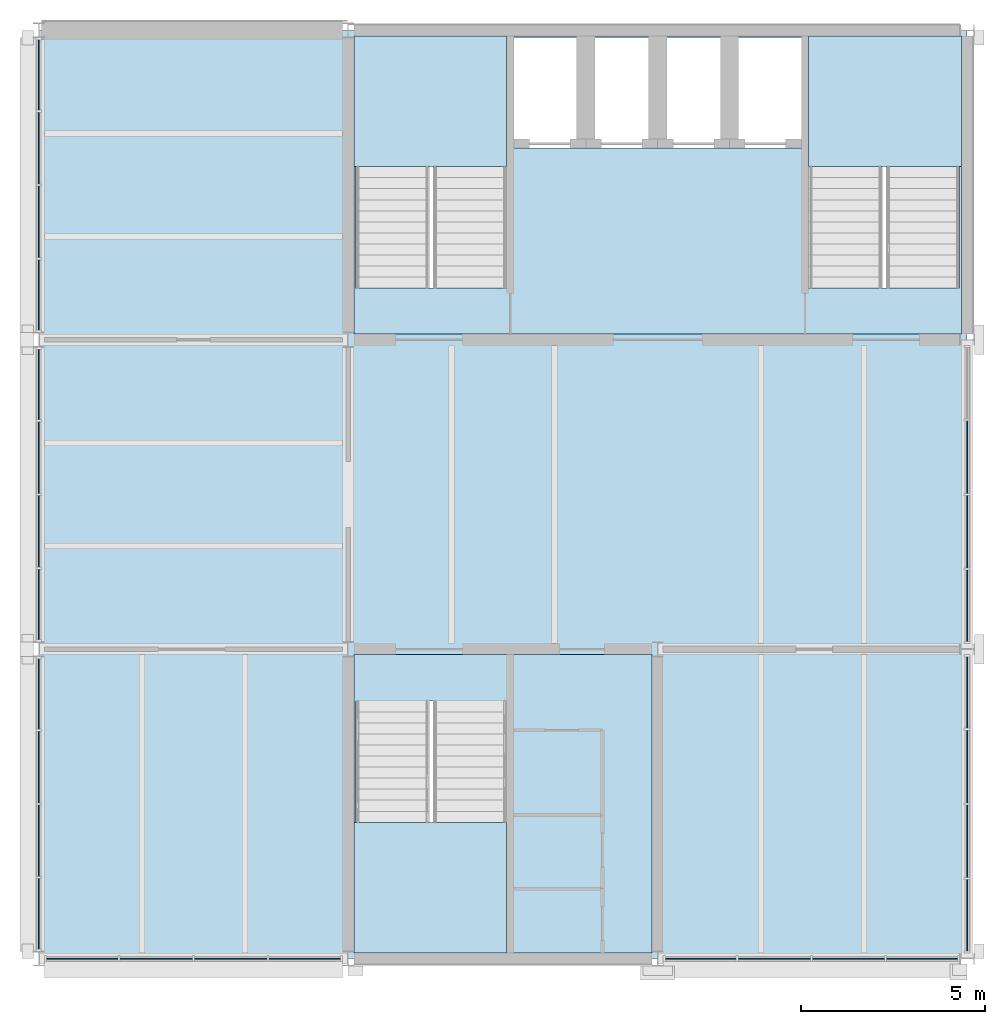
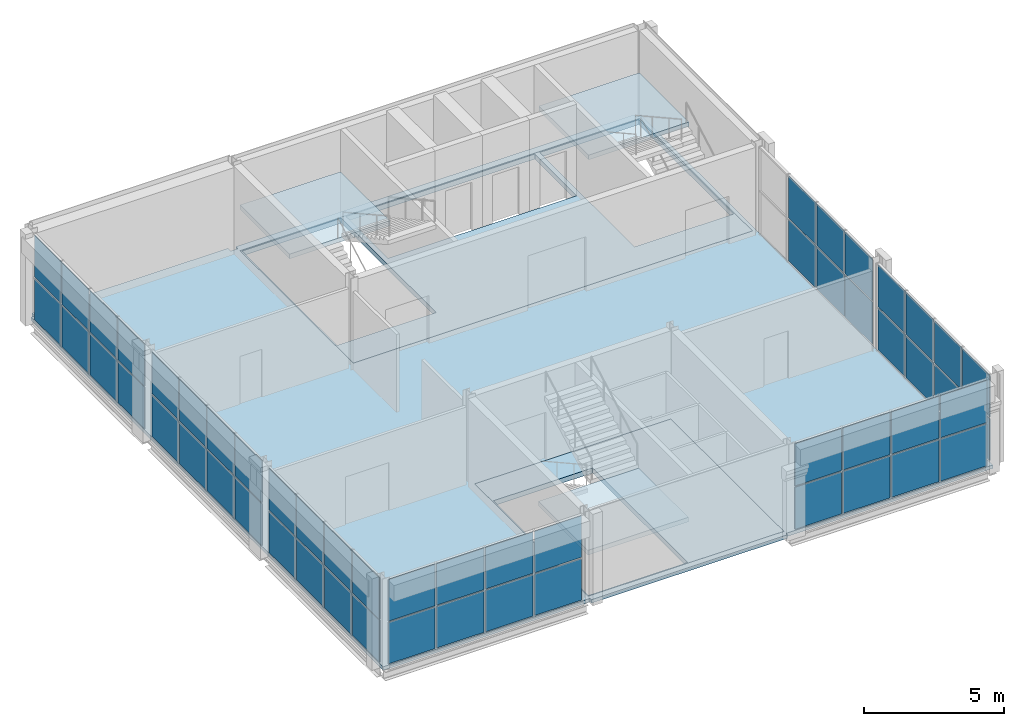
# One storey, part 5 of 8: 54 plates, 6 slabs, 10 elements without a shape of their own.
"""IFC4 building model written with IfcOpenShell, lengths in metres."""

from ifc_helpers import new_model, si_unit, direction, frame, origin, origin_2d, place, context, subcontext, project, spatial, polyline, rectangle, outline, extrude, material, layer, layer_set, type_object, element, aggregate, save


model = new_model("IFC4")

# Units and contexts
model_context = context("Model", 3, precision=1e-05, world=origin(), true_north=direction((0.0, 1.0)))
body_context = subcontext(model_context, "Body", "Model", "MODEL_VIEW")
ifc_project = project(units=[si_unit("LENGTHUNIT", "METRE"), si_unit("AREAUNIT", "SQUARE_METRE"), si_unit("VOLUMEUNIT", "CUBIC_METRE"), si_unit("PLANEANGLEUNIT", "RADIAN"), si_unit("MASSUNIT", "GRAM", prefix="KILO")], contexts=[model_context])

# Site, building, storey
site_placement = place(None, origin())
site = spatial("IfcSite", under=ifc_project, at=site_placement, CompositionType="ELEMENT")
building_placement = place(site_placement, origin())
building = spatial("IfcBuilding", under=site, at=building_placement, Name="Galleria Vessillo Department Store", CompositionType="ELEMENT")
storey_placement = place(building_placement, frame((0.0, 0.0, 55.60009765625)))
storey = spatial("IfcBuildingStorey", under=building, at=storey_placement, Name="L12", CompositionType="ELEMENT", Elevation=55.60009765625)

# Slab
ifc_material_1 = material(Name="Concrete C32/40 composite on steel deck", Category="concrete")
ifc_layer_1 = layer(ifc_material_1, 0.14990234375)
ifc_layer_set_1 = layer_set([ifc_layer_1], Name="Concrete C32/40 composite on steel deck")
slab_type_1 = type_object("IfcSlabType", Name="Composite floor slab 150 mm", PredefinedType="FLOOR", material=ifc_layer_set_1)
slab_1_placement = place(storey_placement, frame((0.0, 0.0, -0.14990234375)))
element("IfcSlab", 1, at=slab_1_placement, inside=storey, type_object=slab_type_1, Name="S-SLAB-L12-FLOOR", PredefinedType="FLOOR", context=body_context, shape_type="SweptSolid", body=[
    extrude(outline(polyline([(100.95068359375, 37.800048828125), (92.39990234375, 37.800048828125), (92.39990234375, 63.0), (92.550537109375, 63.0), (92.550537109375, 63.199951171875), (100.6494140625, 63.199951171875), (100.6494140625, 63.0), (100.95068359375, 63.0), (100.95068359375, 63.1494140625), (117.3994140625, 63.1494140625), (117.3994140625, 63.0), (117.60009765625, 63.0), (117.60009765625, 37.800048828125), (109.04931640625, 37.800048828125), (109.04931640625, 37.699951171875), (100.95068359375, 37.699951171875), (100.95068359375, 37.800048828125)]), holes=[polyline([(109.050048828125, 37.949951171875), (109.050048828125, 46.050048828125), (100.949951171875, 46.050048828125), (100.949951171875, 37.949951171875), (109.050048828125, 37.949951171875)]), polyline([(117.4501953125, 54.75), (117.4501953125, 62.85009765625), (100.949951171875, 62.85009765625), (100.949951171875, 54.75), (117.4501953125, 54.75)])]), origin(), (0.0, 0.0, 1.0), 0.14990234375),
])

# Curtain wall, plates
ifc_material_2 = material(Name="Aluminium and glass curtain wall", Category="aluminium")
ifc_layer_2 = layer(ifc_material_2, 0.159912109375)
ifc_layer_set_2 = layer_set([ifc_layer_2], Name="Aluminium and glass curtain wall")
curtain_wall_type = type_object("IfcCurtainWallType", Name="Tower curtain wall CW4 2100 module", PredefinedType="NOTDEFINED", material=ifc_layer_set_2)
curtain_wall_1_placement = place(storey_placement, origin())
curtain_wall_1 = element("IfcCurtainWall", 2, at=curtain_wall_1_placement, inside=storey, type_object=curtain_wall_type, Name="Tower curtain wall CW4 2100 module TW-L12-01", PredefinedType="NOTDEFINED")
ifc_material_3 = material(Name="Glass laminated 44.2 low-e", Category="glass")
ifc_layer_3 = layer(ifc_material_3, 0.028076171875)
ifc_layer_set_3 = layer_set([ifc_layer_3], Name="Glass laminated 44.2 low-e")
plate_type_1 = type_object("IfcPlateType", Name="Laminated glass panel 28 mm", PredefinedType="CURTAIN_PANEL", material=ifc_layer_set_3)
plate_1_placement = place(storey_placement, frame((92.39990234375, 39.014892578125, 1.929931640625), z_axis=(0.0, 0.0, 1.0), x_axis=(0.0, 1.0, 0.0)))
plate_1 = element("IfcPlate", 3, at=plate_1_placement, type_object=plate_type_1, Name="CW4 panel 1.2", PredefinedType="CURTAIN_PANEL", context=body_context, shape_type="SweptSolid", body=[
    extrude(rectangle(XDim=1.909912109375, YDim=0.028076171875, at=origin_2d()), origin(), (0.0, 0.0, 1.0), 1.81005859375),
])
plate_2_placement = place(storey_placement, frame((92.39990234375, 41.0, 1.929931640625), z_axis=(0.0, 0.0, 1.0), x_axis=(0.0, 1.0, 0.0)))
plate_2 = element("IfcPlate", 4, at=plate_2_placement, type_object=plate_type_1, Name="CW4 panel 2.2", PredefinedType="CURTAIN_PANEL", context=body_context, shape_type="SweptSolid", body=[
    extrude(rectangle(XDim=1.93994140625, YDim=0.028076171875, at=origin_2d()), origin(), (0.0, 0.0, 1.0), 1.81005859375),
])
plate_3_placement = place(storey_placement, frame((92.39990234375, 43.0, 1.929931640625), z_axis=(0.0, 0.0, 1.0), x_axis=(0.0, 1.0, 0.0)))
plate_3 = element("IfcPlate", 5, at=plate_3_placement, type_object=plate_type_1, Name="CW4 panel 3.2", PredefinedType="CURTAIN_PANEL", context=body_context, shape_type="SweptSolid", body=[
    extrude(rectangle(XDim=1.93994140625, YDim=0.028076171875, at=origin_2d()), origin(), (0.0, 0.0, 1.0), 1.81005859375),
])
plate_4_placement = place(storey_placement, frame((92.39990234375, 44.985107421875, 1.929931640625), z_axis=(0.0, 0.0, 1.0), x_axis=(0.0, 1.0, 0.0)))
plate_4 = element("IfcPlate", 6, at=plate_4_placement, type_object=plate_type_1, Name="CW4 panel 4.2", PredefinedType="CURTAIN_PANEL", context=body_context, shape_type="SweptSolid", body=[
    extrude(rectangle(XDim=1.909912109375, YDim=0.028076171875, at=origin_2d()), origin(), (0.0, 0.0, 1.0), 1.81005859375),
])

curtain_wall_2_placement = place(storey_placement, origin())
curtain_wall_2 = element("IfcCurtainWall", 7, at=curtain_wall_2_placement, inside=storey, type_object=curtain_wall_type, Name="Tower curtain wall CW4 2100 module TW-L12-02", PredefinedType="NOTDEFINED")
plate_5_placement = place(storey_placement, frame((92.39990234375, 47.4150390625, 1.929931640625), z_axis=(0.0, 0.0, 1.0), x_axis=(0.0, 1.0, 0.0)))
plate_5 = element("IfcPlate", 8, at=plate_5_placement, type_object=plate_type_1, Name="CW4 panel 1.2", PredefinedType="CURTAIN_PANEL", context=body_context, shape_type="SweptSolid", body=[
    extrude(rectangle(XDim=1.91015625, YDim=0.028076171875, at=origin_2d()), origin(), (0.0, 0.0, 1.0), 1.81005859375),
])
plate_6_placement = place(storey_placement, frame((92.39990234375, 49.39990234375, 1.929931640625), z_axis=(0.0, 0.0, 1.0), x_axis=(0.0, 1.0, 0.0)))
plate_6 = element("IfcPlate", 9, at=plate_6_placement, type_object=plate_type_1, Name="CW4 panel 2.2", PredefinedType="CURTAIN_PANEL", context=body_context, shape_type="SweptSolid", body=[
    extrude(rectangle(XDim=1.93994140625, YDim=0.028076171875, at=origin_2d()), origin(), (0.0, 0.0, 1.0), 1.81005859375),
])
plate_7_placement = place(storey_placement, frame((92.39990234375, 51.400146484375, 1.929931640625), z_axis=(0.0, 0.0, 1.0), x_axis=(0.0, 1.0, 0.0)))
plate_7 = element("IfcPlate", 10, at=plate_7_placement, type_object=plate_type_1, Name="CW4 panel 3.2", PredefinedType="CURTAIN_PANEL", context=body_context, shape_type="SweptSolid", body=[
    extrude(rectangle(XDim=1.93994140625, YDim=0.028076171875, at=origin_2d()), origin(), (0.0, 0.0, 1.0), 1.81005859375),
])
plate_8_placement = place(storey_placement, frame((92.39990234375, 53.385009765625, 1.929931640625), z_axis=(0.0, 0.0, 1.0), x_axis=(0.0, 1.0, 0.0)))
plate_8 = element("IfcPlate", 11, at=plate_8_placement, type_object=plate_type_1, Name="CW4 panel 4.2", PredefinedType="CURTAIN_PANEL", context=body_context, shape_type="SweptSolid", body=[
    extrude(rectangle(XDim=1.91015625, YDim=0.028076171875, at=origin_2d()), origin(), (0.0, 0.0, 1.0), 1.81005859375),
])

curtain_wall_3_placement = place(storey_placement, origin())
curtain_wall_3 = element("IfcCurtainWall", 12, at=curtain_wall_3_placement, inside=storey, type_object=curtain_wall_type, Name="Tower curtain wall CW4 2100 module TW-L12-03", PredefinedType="NOTDEFINED")
plate_9_placement = place(storey_placement, frame((92.39990234375, 55.81494140625, 1.929931640625), z_axis=(0.0, 0.0, 1.0), x_axis=(0.0, 1.0, 0.0)))
plate_9 = element("IfcPlate", 13, at=plate_9_placement, type_object=plate_type_1, Name="CW4 panel 1.2", PredefinedType="CURTAIN_PANEL", context=body_context, shape_type="SweptSolid", body=[
    extrude(rectangle(XDim=1.909912109375, YDim=0.028076171875, at=origin_2d()), origin(), (0.0, 0.0, 1.0), 1.81005859375),
])
plate_10_placement = place(storey_placement, frame((92.39990234375, 57.800048828125, 1.929931640625), z_axis=(0.0, 0.0, 1.0), x_axis=(0.0, 1.0, 0.0)))
plate_10 = element("IfcPlate", 14, at=plate_10_placement, type_object=plate_type_1, Name="CW4 panel 2.2", PredefinedType="CURTAIN_PANEL", context=body_context, shape_type="SweptSolid", body=[
    extrude(rectangle(XDim=1.93994140625, YDim=0.028076171875, at=origin_2d()), origin(), (0.0, 0.0, 1.0), 1.81005859375),
])
plate_11_placement = place(storey_placement, frame((92.39990234375, 59.800048828125, 1.929931640625), z_axis=(0.0, 0.0, 1.0), x_axis=(0.0, 1.0, 0.0)))
plate_11 = element("IfcPlate", 15, at=plate_11_placement, type_object=plate_type_1, Name="CW4 panel 3.2", PredefinedType="CURTAIN_PANEL", context=body_context, shape_type="SweptSolid", body=[
    extrude(rectangle(XDim=1.93994140625, YDim=0.028076171875, at=origin_2d()), origin(), (0.0, 0.0, 1.0), 1.81005859375),
])
plate_12_placement = place(storey_placement, frame((92.39990234375, 61.78515625, 1.929931640625), z_axis=(0.0, 0.0, 1.0), x_axis=(0.0, 1.0, 0.0)))
plate_12 = element("IfcPlate", 16, at=plate_12_placement, type_object=plate_type_1, Name="CW4 panel 4.2", PredefinedType="CURTAIN_PANEL", context=body_context, shape_type="SweptSolid", body=[
    extrude(rectangle(XDim=1.909912109375, YDim=0.028076171875, at=origin_2d()), origin(), (0.0, 0.0, 1.0), 1.81005859375),
])

curtain_wall_4_placement = place(storey_placement, origin())
curtain_wall_4 = element("IfcCurtainWall", 17, at=curtain_wall_4_placement, inside=storey, type_object=curtain_wall_type, Name="Tower curtain wall CW4 2100 module TS-L12-01", PredefinedType="NOTDEFINED")
plate_13_placement = place(storey_placement, frame((93.577392578125, 37.800048828125, 1.929931640625), z_axis=(0.0, 0.0, 1.0), x_axis=(1.0, 0.0, 0.0)))
plate_13 = element("IfcPlate", 18, at=plate_13_placement, type_object=plate_type_1, Name="CW4 panel 1.2", PredefinedType="CURTAIN_PANEL", context=body_context, shape_type="SweptSolid", body=[
    extrude(rectangle(XDim=1.93505859375, YDim=0.028076171875, at=origin_2d()), origin(), (0.0, 0.0, 1.0), 1.81005859375),
])
plate_14_placement = place(storey_placement, frame((95.58740234375, 37.800048828125, 1.929931640625), z_axis=(0.0, 0.0, 1.0), x_axis=(1.0, 0.0, 0.0)))
plate_14 = element("IfcPlate", 19, at=plate_14_placement, type_object=plate_type_1, Name="CW4 panel 2.2", PredefinedType="CURTAIN_PANEL", context=body_context, shape_type="SweptSolid", body=[
    extrude(rectangle(XDim=1.965087890625, YDim=0.028076171875, at=origin_2d()), origin(), (0.0, 0.0, 1.0), 1.81005859375),
])
plate_15_placement = place(storey_placement, frame((97.612548828125, 37.800048828125, 1.929931640625), z_axis=(0.0, 0.0, 1.0), x_axis=(1.0, 0.0, 0.0)))
plate_15 = element("IfcPlate", 20, at=plate_15_placement, type_object=plate_type_1, Name="CW4 panel 3.2", PredefinedType="CURTAIN_PANEL", context=body_context, shape_type="SweptSolid", body=[
    extrude(rectangle(XDim=1.965087890625, YDim=0.028076171875, at=origin_2d()), origin(), (0.0, 0.0, 1.0), 1.81005859375),
])
plate_16_placement = place(storey_placement, frame((99.62255859375, 37.800048828125, 1.929931640625), z_axis=(0.0, 0.0, 1.0), x_axis=(1.0, 0.0, 0.0)))
plate_16 = element("IfcPlate", 21, at=plate_16_placement, type_object=plate_type_1, Name="CW4 panel 4.2", PredefinedType="CURTAIN_PANEL", context=body_context, shape_type="SweptSolid", body=[
    extrude(rectangle(XDim=1.93505859375, YDim=0.028076171875, at=origin_2d()), origin(), (0.0, 0.0, 1.0), 1.81005859375),
])

curtain_wall_5_placement = place(storey_placement, origin())
curtain_wall_5 = element("IfcCurtainWall", 22, at=curtain_wall_5_placement, inside=storey, type_object=curtain_wall_type, Name="Tower curtain wall CW4 2100 module TS-L12-02", PredefinedType="NOTDEFINED")
plate_17_placement = place(storey_placement, frame((110.37109375, 37.800048828125, 1.955078125), z_axis=(0.0, 0.0, 1.0), x_axis=(1.0, 0.0, 0.0)))
plate_17 = element("IfcPlate", 23, at=plate_17_placement, type_object=plate_type_1, Name="CW4 panel 1.2", PredefinedType="CURTAIN_PANEL", context=body_context, shape_type="SweptSolid", body=[
    extrude(rectangle(XDim=1.922607421875, YDim=0.028076171875, at=origin_2d()), origin(), (0.0, 0.0, 1.0), 1.835205078125),
])
plate_18_placement = place(storey_placement, frame((112.36865234375, 37.800048828125, 1.955078125), z_axis=(0.0, 0.0, 1.0), x_axis=(1.0, 0.0, 0.0)))
plate_18 = element("IfcPlate", 24, at=plate_18_placement, type_object=plate_type_1, Name="CW4 panel 2.2", PredefinedType="CURTAIN_PANEL", context=body_context, shape_type="SweptSolid", body=[
    extrude(rectangle(XDim=1.95263671875, YDim=0.028076171875, at=origin_2d()), origin(), (0.0, 0.0, 1.0), 1.835205078125),
])
plate_19_placement = place(storey_placement, frame((114.38134765625, 37.800048828125, 1.955078125), z_axis=(0.0, 0.0, 1.0), x_axis=(1.0, 0.0, 0.0)))
plate_19 = element("IfcPlate", 25, at=plate_19_placement, type_object=plate_type_1, Name="CW4 panel 3.2", PredefinedType="CURTAIN_PANEL", context=body_context, shape_type="SweptSolid", body=[
    extrude(rectangle(XDim=1.95263671875, YDim=0.028076171875, at=origin_2d()), origin(), (0.0, 0.0, 1.0), 1.835205078125),
])
plate_20_placement = place(storey_placement, frame((116.37890625, 37.800048828125, 1.955078125), z_axis=(0.0, 0.0, 1.0), x_axis=(1.0, 0.0, 0.0)))
plate_20 = element("IfcPlate", 26, at=plate_20_placement, type_object=plate_type_1, Name="CW4 panel 4.2", PredefinedType="CURTAIN_PANEL", context=body_context, shape_type="SweptSolid", body=[
    extrude(rectangle(XDim=1.922607421875, YDim=0.028076171875, at=origin_2d()), origin(), (0.0, 0.0, 1.0), 1.835205078125),
])

curtain_wall_6_placement = place(storey_placement, origin())
curtain_wall_6 = element("IfcCurtainWall", 27, at=curtain_wall_6_placement, inside=storey, type_object=curtain_wall_type, Name="Tower curtain wall CW4 2100 module TE-L12-01", PredefinedType="NOTDEFINED")
plate_21_placement = place(storey_placement, frame((117.60009765625, 38.9775390625, 1.955078125), z_axis=(0.0, 0.0, 1.0), x_axis=(0.0, 1.0, 0.0)))
plate_21 = element("IfcPlate", 28, at=plate_21_placement, type_object=plate_type_1, Name="CW4 panel 1.2", PredefinedType="CURTAIN_PANEL", context=body_context, shape_type="SweptSolid", body=[
    extrude(rectangle(XDim=1.93505859375, YDim=0.028076171875, at=origin_2d()), origin(), (0.0, 0.0, 1.0), 1.835205078125),
])
plate_22_placement = place(storey_placement, frame((117.60009765625, 40.987548828125, 1.955078125), z_axis=(0.0, 0.0, 1.0), x_axis=(0.0, 1.0, 0.0)))
plate_22 = element("IfcPlate", 29, at=plate_22_placement, type_object=plate_type_1, Name="CW4 panel 2.2", PredefinedType="CURTAIN_PANEL", context=body_context, shape_type="SweptSolid", body=[
    extrude(rectangle(XDim=1.965087890625, YDim=0.028076171875, at=origin_2d()), origin(), (0.0, 0.0, 1.0), 1.835205078125),
])
plate_23_placement = place(storey_placement, frame((117.60009765625, 43.012451171875, 1.955078125), z_axis=(0.0, 0.0, 1.0), x_axis=(0.0, 1.0, 0.0)))
plate_23 = element("IfcPlate", 30, at=plate_23_placement, type_object=plate_type_1, Name="CW4 panel 3.2", PredefinedType="CURTAIN_PANEL", context=body_context, shape_type="SweptSolid", body=[
    extrude(rectangle(XDim=1.965087890625, YDim=0.028076171875, at=origin_2d()), origin(), (0.0, 0.0, 1.0), 1.835205078125),
])
plate_24_placement = place(storey_placement, frame((117.60009765625, 45.0224609375, 1.955078125), z_axis=(0.0, 0.0, 1.0), x_axis=(0.0, 1.0, 0.0)))
plate_24 = element("IfcPlate", 31, at=plate_24_placement, type_object=plate_type_1, Name="CW4 panel 4.2", PredefinedType="CURTAIN_PANEL", context=body_context, shape_type="SweptSolid", body=[
    extrude(rectangle(XDim=1.93505859375, YDim=0.028076171875, at=origin_2d()), origin(), (0.0, 0.0, 1.0), 1.835205078125),
])

curtain_wall_7_placement = place(storey_placement, origin())
curtain_wall_7 = element("IfcCurtainWall", 32, at=curtain_wall_7_placement, inside=storey, type_object=curtain_wall_type, Name="Tower curtain wall CW4 2100 module TE-L12-02", PredefinedType="NOTDEFINED")
plate_25_placement = place(storey_placement, frame((117.60009765625, 47.37744140625, 1.955078125), z_axis=(0.0, 0.0, 1.0), x_axis=(0.0, 1.0, 0.0)))
plate_25 = element("IfcPlate", 33, at=plate_25_placement, type_object=plate_type_1, Name="CW4 panel 1.2", PredefinedType="CURTAIN_PANEL", context=body_context, shape_type="SweptSolid", body=[
    extrude(rectangle(XDim=1.93505859375, YDim=0.028076171875, at=origin_2d()), origin(), (0.0, 0.0, 1.0), 1.835205078125),
])
plate_26_placement = place(storey_placement, frame((117.60009765625, 49.387451171875, 1.955078125), z_axis=(0.0, 0.0, 1.0), x_axis=(0.0, 1.0, 0.0)))
plate_26 = element("IfcPlate", 34, at=plate_26_placement, type_object=plate_type_1, Name="CW4 panel 2.2", PredefinedType="CURTAIN_PANEL", context=body_context, shape_type="SweptSolid", body=[
    extrude(rectangle(XDim=1.965087890625, YDim=0.028076171875, at=origin_2d()), origin(), (0.0, 0.0, 1.0), 1.835205078125),
])
plate_27_placement = place(storey_placement, frame((117.60009765625, 51.41259765625, 1.955078125), z_axis=(0.0, 0.0, 1.0), x_axis=(0.0, 1.0, 0.0)))
plate_27 = element("IfcPlate", 35, at=plate_27_placement, type_object=plate_type_1, Name="CW4 panel 3.2", PredefinedType="CURTAIN_PANEL", context=body_context, shape_type="SweptSolid", body=[
    extrude(rectangle(XDim=1.965087890625, YDim=0.028076171875, at=origin_2d()), origin(), (0.0, 0.0, 1.0), 1.835205078125),
])

# Slabs
ifc_material_4 = material(Name="Concrete C32/40 reinforced", Category="concrete")
ifc_layer_4 = layer(ifc_material_4, 0.219970703125)
ifc_layer_set_4 = layer_set([ifc_layer_4], Name="Concrete C32/40 reinforced")
slab_type_2 = type_object("IfcSlabType", Name="Reinforced concrete core floor slab 220 mm", PredefinedType="FLOOR", material=ifc_layer_set_4)
slab_2_placement = place(storey_placement, frame((0.0, 0.0, -0.219970703125)))
element("IfcSlab", 36, at=slab_2_placement, inside=storey, type_object=slab_type_2, Name="S-SLAB-L12-CORE-TC", PredefinedType="FLOOR", context=body_context, shape_type="SweptSolid", body=[
    extrude(outline(polyline([(100.949951171875, 54.75), (100.949951171875, 62.85009765625), (117.4501953125, 62.85009765625), (117.4501953125, 54.75), (100.949951171875, 54.75)]), holes=[polyline([(105.10009765625, 56.0), (105.10009765625, 62.800048828125), (101.0, 62.800048828125), (101.0, 56.0), (105.10009765625, 56.0)]), polyline([(113.300048828125, 56.0), (117.39990234375, 56.0), (117.39990234375, 62.800048828125), (113.300048828125, 62.800048828125), (113.300048828125, 56.0)]), polyline([(105.300048828125, 59.800048828125), (113.10009765625, 59.800048828125), (113.10009765625, 62.800048828125), (105.300048828125, 62.800048828125), (105.300048828125, 59.800048828125)])]), origin(), (0.0, 0.0, 1.0), 0.219970703125),
])
slab_3_placement = place(storey_placement, frame((0.0, 0.0, -0.219970703125)))
element("IfcSlab", 37, at=slab_3_placement, inside=storey, type_object=slab_type_2, Name="S-SLAB-L12-CORE-TS", PredefinedType="FLOOR", context=body_context, shape_type="SweptSolid", body=[
    extrude(outline(polyline([(100.949951171875, 37.949951171875), (100.949951171875, 46.050048828125), (109.050048828125, 46.050048828125), (109.050048828125, 37.949951171875), (100.949951171875, 37.949951171875)]), holes=[polyline([(105.10009765625, 44.800048828125), (101.0, 44.800048828125), (101.0, 38.0), (105.10009765625, 38.0), (105.10009765625, 44.800048828125)])]), origin(), (0.0, 0.0, 1.0), 0.219970703125),
])

# Stair, slab
ifc_material_5 = material(Name="Concrete C32/40", Category="concrete")
stair_type = type_object("IfcStairType", Name="Half-turn escape stair 2000 mm, 24 risers of 167 mm", PredefinedType="HALF_TURN_STAIR", material=ifc_material_5)
stair_1_placement = place(storey_placement, origin())
stair_1 = element("IfcStair", 38, at=stair_1_placement, inside=storey, type_object=stair_type, Name="Stair ST8 L12", PredefinedType="HALF_TURN_STAIR")
ifc_material_6 = material(Name="Concrete C32/40", Category="concrete")
ifc_layer_5 = layer(ifc_material_6, 0.199951171875)
ifc_layer_set_5 = layer_set([ifc_layer_5], Name="Concrete C32/40")
slab_type_3 = type_object("IfcSlabType", Name="Stair half landing 4150 x 3550 mm", PredefinedType="LANDING", material=ifc_layer_set_5)
slab_4_placement = place(storey_placement, frame((0.0, 0.0, 1.800048828125)))
slab_4 = element("IfcSlab", 39, at=slab_4_placement, type_object=slab_type_3, Name="ST8 landing 1", PredefinedType="LANDING", context=body_context, shape_type="SweptSolid", body=[
    extrude(outline(polyline([(100.949951171875, 59.300048828125), (100.949951171875, 62.85009765625), (105.10009765625, 62.85009765625), (105.10009765625, 59.300048828125), (100.949951171875, 59.300048828125)])), origin(), (0.0, 0.0, 1.0), 0.199951171875),
])
aggregate(stair_1, [slab_4])

stair_2_placement = place(storey_placement, origin())
stair_2 = element("IfcStair", 40, at=stair_2_placement, inside=storey, type_object=stair_type, Name="Stair ST9 L12", PredefinedType="HALF_TURN_STAIR")
slab_5_placement = place(storey_placement, frame((0.0, 0.0, 1.800048828125)))
slab_5 = element("IfcSlab", 41, at=slab_5_placement, type_object=slab_type_3, Name="ST9 landing 1", PredefinedType="LANDING", context=body_context, shape_type="SweptSolid", body=[
    extrude(outline(polyline([(113.300048828125, 59.300048828125), (113.300048828125, 62.85009765625), (117.4501953125, 62.85009765625), (117.4501953125, 59.300048828125), (113.300048828125, 59.300048828125)])), origin(), (0.0, 0.0, 1.0), 0.199951171875),
])
aggregate(stair_2, [slab_5])

stair_3_placement = place(storey_placement, origin())
stair_3 = element("IfcStair", 42, at=stair_3_placement, inside=storey, type_object=stair_type, Name="Stair ST12 L12", PredefinedType="HALF_TURN_STAIR")
slab_6_placement = place(storey_placement, frame((0.0, 0.0, 1.800048828125)))
slab_6 = element("IfcSlab", 43, at=slab_6_placement, type_object=slab_type_3, Name="ST12 landing 1", PredefinedType="LANDING", context=body_context, shape_type="SweptSolid", body=[
    extrude(outline(polyline([(100.949951171875, 37.949951171875), (100.949951171875, 41.5), (105.10009765625, 41.5), (105.10009765625, 37.949951171875), (100.949951171875, 37.949951171875)])), origin(), (0.0, 0.0, 1.0), 0.199951171875),
])
aggregate(stair_3, [slab_6])

# Plate
ifc_material_7 = material(Name="Limestone spandrel on aluminium tray", Category="masonry")
ifc_layer_6 = layer(ifc_material_7, 0.028076171875)
ifc_layer_set_6 = layer_set([ifc_layer_6], Name="Limestone spandrel on aluminium tray")
plate_type_2 = type_object("IfcPlateType", Name="Stone spandrel panel 28 mm", PredefinedType="CURTAIN_PANEL", material=ifc_layer_set_6)
plate_28_placement = place(storey_placement, frame((92.39990234375, 39.014892578125, 0.06005859375), z_axis=(0.0, 0.0, 1.0), x_axis=(0.0, 1.0, 0.0)))
plate_28 = element("IfcPlate", 44, at=plate_28_placement, type_object=plate_type_2, Name="CW4 panel 1.1", PredefinedType="CURTAIN_PANEL", context=body_context, shape_type="SweptSolid", body=[
    extrude(rectangle(XDim=1.909912109375, YDim=0.028076171875, at=origin_2d()), origin(), (0.0, 0.0, 1.0), 1.81005859375),
])

plate_29_placement = place(storey_placement, frame((92.39990234375, 41.0, 0.06005859375), z_axis=(0.0, 0.0, 1.0), x_axis=(0.0, 1.0, 0.0)))
plate_29 = element("IfcPlate", 45, at=plate_29_placement, type_object=plate_type_2, Name="CW4 panel 2.1", PredefinedType="CURTAIN_PANEL", context=body_context, shape_type="SweptSolid", body=[
    extrude(rectangle(XDim=1.93994140625, YDim=0.028076171875, at=origin_2d()), origin(), (0.0, 0.0, 1.0), 1.81005859375),
])

plate_30_placement = place(storey_placement, frame((92.39990234375, 43.0, 0.06005859375), z_axis=(0.0, 0.0, 1.0), x_axis=(0.0, 1.0, 0.0)))
plate_30 = element("IfcPlate", 46, at=plate_30_placement, type_object=plate_type_2, Name="CW4 panel 3.1", PredefinedType="CURTAIN_PANEL", context=body_context, shape_type="SweptSolid", body=[
    extrude(rectangle(XDim=1.93994140625, YDim=0.028076171875, at=origin_2d()), origin(), (0.0, 0.0, 1.0), 1.81005859375),
])

plate_31_placement = place(storey_placement, frame((92.39990234375, 44.985107421875, 0.06005859375), z_axis=(0.0, 0.0, 1.0), x_axis=(0.0, 1.0, 0.0)))
plate_31 = element("IfcPlate", 47, at=plate_31_placement, type_object=plate_type_2, Name="CW4 panel 4.1", PredefinedType="CURTAIN_PANEL", context=body_context, shape_type="SweptSolid", body=[
    extrude(rectangle(XDim=1.909912109375, YDim=0.028076171875, at=origin_2d()), origin(), (0.0, 0.0, 1.0), 1.81005859375),
])

aggregate(curtain_wall_1, [plate_28, plate_1, plate_29, plate_2, plate_30, plate_3, plate_31, plate_4])

plate_32_placement = place(storey_placement, frame((92.39990234375, 47.4150390625, 0.06005859375), z_axis=(0.0, 0.0, 1.0), x_axis=(0.0, 1.0, 0.0)))
plate_32 = element("IfcPlate", 48, at=plate_32_placement, type_object=plate_type_2, Name="CW4 panel 1.1", PredefinedType="CURTAIN_PANEL", context=body_context, shape_type="SweptSolid", body=[
    extrude(rectangle(XDim=1.91015625, YDim=0.028076171875, at=origin_2d()), origin(), (0.0, 0.0, 1.0), 1.81005859375),
])

plate_33_placement = place(storey_placement, frame((92.39990234375, 49.39990234375, 0.06005859375), z_axis=(0.0, 0.0, 1.0), x_axis=(0.0, 1.0, 0.0)))
plate_33 = element("IfcPlate", 49, at=plate_33_placement, type_object=plate_type_2, Name="CW4 panel 2.1", PredefinedType="CURTAIN_PANEL", context=body_context, shape_type="SweptSolid", body=[
    extrude(rectangle(XDim=1.93994140625, YDim=0.028076171875, at=origin_2d()), origin(), (0.0, 0.0, 1.0), 1.81005859375),
])

plate_34_placement = place(storey_placement, frame((92.39990234375, 51.400146484375, 0.06005859375), z_axis=(0.0, 0.0, 1.0), x_axis=(0.0, 1.0, 0.0)))
plate_34 = element("IfcPlate", 50, at=plate_34_placement, type_object=plate_type_2, Name="CW4 panel 3.1", PredefinedType="CURTAIN_PANEL", context=body_context, shape_type="SweptSolid", body=[
    extrude(rectangle(XDim=1.93994140625, YDim=0.028076171875, at=origin_2d()), origin(), (0.0, 0.0, 1.0), 1.81005859375),
])

plate_35_placement = place(storey_placement, frame((92.39990234375, 53.385009765625, 0.06005859375), z_axis=(0.0, 0.0, 1.0), x_axis=(0.0, 1.0, 0.0)))
plate_35 = element("IfcPlate", 51, at=plate_35_placement, type_object=plate_type_2, Name="CW4 panel 4.1", PredefinedType="CURTAIN_PANEL", context=body_context, shape_type="SweptSolid", body=[
    extrude(rectangle(XDim=1.91015625, YDim=0.028076171875, at=origin_2d()), origin(), (0.0, 0.0, 1.0), 1.81005859375),
])

aggregate(curtain_wall_2, [plate_32, plate_5, plate_33, plate_6, plate_34, plate_7, plate_35, plate_8])

plate_36_placement = place(storey_placement, frame((92.39990234375, 55.81494140625, 0.06005859375), z_axis=(0.0, 0.0, 1.0), x_axis=(0.0, 1.0, 0.0)))
plate_36 = element("IfcPlate", 52, at=plate_36_placement, type_object=plate_type_2, Name="CW4 panel 1.1", PredefinedType="CURTAIN_PANEL", context=body_context, shape_type="SweptSolid", body=[
    extrude(rectangle(XDim=1.909912109375, YDim=0.028076171875, at=origin_2d()), origin(), (0.0, 0.0, 1.0), 1.81005859375),
])

plate_37_placement = place(storey_placement, frame((92.39990234375, 57.800048828125, 0.06005859375), z_axis=(0.0, 0.0, 1.0), x_axis=(0.0, 1.0, 0.0)))
plate_37 = element("IfcPlate", 53, at=plate_37_placement, type_object=plate_type_2, Name="CW4 panel 2.1", PredefinedType="CURTAIN_PANEL", context=body_context, shape_type="SweptSolid", body=[
    extrude(rectangle(XDim=1.93994140625, YDim=0.028076171875, at=origin_2d()), origin(), (0.0, 0.0, 1.0), 1.81005859375),
])

plate_38_placement = place(storey_placement, frame((92.39990234375, 59.800048828125, 0.06005859375), z_axis=(0.0, 0.0, 1.0), x_axis=(0.0, 1.0, 0.0)))
plate_38 = element("IfcPlate", 54, at=plate_38_placement, type_object=plate_type_2, Name="CW4 panel 3.1", PredefinedType="CURTAIN_PANEL", context=body_context, shape_type="SweptSolid", body=[
    extrude(rectangle(XDim=1.93994140625, YDim=0.028076171875, at=origin_2d()), origin(), (0.0, 0.0, 1.0), 1.81005859375),
])

plate_39_placement = place(storey_placement, frame((92.39990234375, 61.78515625, 0.06005859375), z_axis=(0.0, 0.0, 1.0), x_axis=(0.0, 1.0, 0.0)))
plate_39 = element("IfcPlate", 55, at=plate_39_placement, type_object=plate_type_2, Name="CW4 panel 4.1", PredefinedType="CURTAIN_PANEL", context=body_context, shape_type="SweptSolid", body=[
    extrude(rectangle(XDim=1.909912109375, YDim=0.028076171875, at=origin_2d()), origin(), (0.0, 0.0, 1.0), 1.81005859375),
])

aggregate(curtain_wall_3, [plate_36, plate_9, plate_37, plate_10, plate_38, plate_11, plate_39, plate_12])

plate_40_placement = place(storey_placement, frame((93.577392578125, 37.800048828125, 0.06005859375), z_axis=(0.0, 0.0, 1.0), x_axis=(1.0, 0.0, 0.0)))
plate_40 = element("IfcPlate", 56, at=plate_40_placement, type_object=plate_type_2, Name="CW4 panel 1.1", PredefinedType="CURTAIN_PANEL", context=body_context, shape_type="SweptSolid", body=[
    extrude(rectangle(XDim=1.93505859375, YDim=0.028076171875, at=origin_2d()), origin(), (0.0, 0.0, 1.0), 1.81005859375),
])

plate_41_placement = place(storey_placement, frame((95.58740234375, 37.800048828125, 0.06005859375), z_axis=(0.0, 0.0, 1.0), x_axis=(1.0, 0.0, 0.0)))
plate_41 = element("IfcPlate", 57, at=plate_41_placement, type_object=plate_type_2, Name="CW4 panel 2.1", PredefinedType="CURTAIN_PANEL", context=body_context, shape_type="SweptSolid", body=[
    extrude(rectangle(XDim=1.965087890625, YDim=0.028076171875, at=origin_2d()), origin(), (0.0, 0.0, 1.0), 1.81005859375),
])

plate_42_placement = place(storey_placement, frame((97.612548828125, 37.800048828125, 0.06005859375), z_axis=(0.0, 0.0, 1.0), x_axis=(1.0, 0.0, 0.0)))
plate_42 = element("IfcPlate", 58, at=plate_42_placement, type_object=plate_type_2, Name="CW4 panel 3.1", PredefinedType="CURTAIN_PANEL", context=body_context, shape_type="SweptSolid", body=[
    extrude(rectangle(XDim=1.965087890625, YDim=0.028076171875, at=origin_2d()), origin(), (0.0, 0.0, 1.0), 1.81005859375),
])

plate_43_placement = place(storey_placement, frame((99.62255859375, 37.800048828125, 0.06005859375), z_axis=(0.0, 0.0, 1.0), x_axis=(1.0, 0.0, 0.0)))
plate_43 = element("IfcPlate", 59, at=plate_43_placement, type_object=plate_type_2, Name="CW4 panel 4.1", PredefinedType="CURTAIN_PANEL", context=body_context, shape_type="SweptSolid", body=[
    extrude(rectangle(XDim=1.93505859375, YDim=0.028076171875, at=origin_2d()), origin(), (0.0, 0.0, 1.0), 1.81005859375),
])

aggregate(curtain_wall_4, [plate_40, plate_13, plate_41, plate_14, plate_42, plate_15, plate_43, plate_16])

plate_44_placement = place(storey_placement, frame((110.37109375, 37.800048828125, 0.06005859375), z_axis=(0.0, 0.0, 1.0), x_axis=(1.0, 0.0, 0.0)))
plate_44 = element("IfcPlate", 60, at=plate_44_placement, type_object=plate_type_2, Name="CW4 panel 1.1", PredefinedType="CURTAIN_PANEL", context=body_context, shape_type="SweptSolid", body=[
    extrude(rectangle(XDim=1.922607421875, YDim=0.028076171875, at=origin_2d()), origin(), (0.0, 0.0, 1.0), 1.8349609375),
])

plate_45_placement = place(storey_placement, frame((112.36865234375, 37.800048828125, 0.06005859375), z_axis=(0.0, 0.0, 1.0), x_axis=(1.0, 0.0, 0.0)))
plate_45 = element("IfcPlate", 61, at=plate_45_placement, type_object=plate_type_2, Name="CW4 panel 2.1", PredefinedType="CURTAIN_PANEL", context=body_context, shape_type="SweptSolid", body=[
    extrude(rectangle(XDim=1.95263671875, YDim=0.028076171875, at=origin_2d()), origin(), (0.0, 0.0, 1.0), 1.8349609375),
])

plate_46_placement = place(storey_placement, frame((114.38134765625, 37.800048828125, 0.06005859375), z_axis=(0.0, 0.0, 1.0), x_axis=(1.0, 0.0, 0.0)))
plate_46 = element("IfcPlate", 62, at=plate_46_placement, type_object=plate_type_2, Name="CW4 panel 3.1", PredefinedType="CURTAIN_PANEL", context=body_context, shape_type="SweptSolid", body=[
    extrude(rectangle(XDim=1.95263671875, YDim=0.028076171875, at=origin_2d()), origin(), (0.0, 0.0, 1.0), 1.8349609375),
])

plate_47_placement = place(storey_placement, frame((116.37890625, 37.800048828125, 0.06005859375), z_axis=(0.0, 0.0, 1.0), x_axis=(1.0, 0.0, 0.0)))
plate_47 = element("IfcPlate", 63, at=plate_47_placement, type_object=plate_type_2, Name="CW4 panel 4.1", PredefinedType="CURTAIN_PANEL", context=body_context, shape_type="SweptSolid", body=[
    extrude(rectangle(XDim=1.922607421875, YDim=0.028076171875, at=origin_2d()), origin(), (0.0, 0.0, 1.0), 1.8349609375),
])

aggregate(curtain_wall_5, [plate_44, plate_17, plate_45, plate_18, plate_46, plate_19, plate_47, plate_20])

plate_48_placement = place(storey_placement, frame((117.60009765625, 38.9775390625, 0.06005859375), z_axis=(0.0, 0.0, 1.0), x_axis=(0.0, 1.0, 0.0)))
plate_48 = element("IfcPlate", 64, at=plate_48_placement, type_object=plate_type_2, Name="CW4 panel 1.1", PredefinedType="CURTAIN_PANEL", context=body_context, shape_type="SweptSolid", body=[
    extrude(rectangle(XDim=1.93505859375, YDim=0.028076171875, at=origin_2d()), origin(), (0.0, 0.0, 1.0), 1.8349609375),
])

plate_49_placement = place(storey_placement, frame((117.60009765625, 40.987548828125, 0.06005859375), z_axis=(0.0, 0.0, 1.0), x_axis=(0.0, 1.0, 0.0)))
plate_49 = element("IfcPlate", 65, at=plate_49_placement, type_object=plate_type_2, Name="CW4 panel 2.1", PredefinedType="CURTAIN_PANEL", context=body_context, shape_type="SweptSolid", body=[
    extrude(rectangle(XDim=1.965087890625, YDim=0.028076171875, at=origin_2d()), origin(), (0.0, 0.0, 1.0), 1.8349609375),
])

plate_50_placement = place(storey_placement, frame((117.60009765625, 43.012451171875, 0.06005859375), z_axis=(0.0, 0.0, 1.0), x_axis=(0.0, 1.0, 0.0)))
plate_50 = element("IfcPlate", 66, at=plate_50_placement, type_object=plate_type_2, Name="CW4 panel 3.1", PredefinedType="CURTAIN_PANEL", context=body_context, shape_type="SweptSolid", body=[
    extrude(rectangle(XDim=1.965087890625, YDim=0.028076171875, at=origin_2d()), origin(), (0.0, 0.0, 1.0), 1.8349609375),
])

plate_51_placement = place(storey_placement, frame((117.60009765625, 45.0224609375, 0.06005859375), z_axis=(0.0, 0.0, 1.0), x_axis=(0.0, 1.0, 0.0)))
plate_51 = element("IfcPlate", 67, at=plate_51_placement, type_object=plate_type_2, Name="CW4 panel 4.1", PredefinedType="CURTAIN_PANEL", context=body_context, shape_type="SweptSolid", body=[
    extrude(rectangle(XDim=1.93505859375, YDim=0.028076171875, at=origin_2d()), origin(), (0.0, 0.0, 1.0), 1.8349609375),
])

aggregate(curtain_wall_6, [plate_48, plate_21, plate_49, plate_22, plate_50, plate_23, plate_51, plate_24])

plate_52_placement = place(storey_placement, frame((117.60009765625, 47.37744140625, 0.06005859375), z_axis=(0.0, 0.0, 1.0), x_axis=(0.0, 1.0, 0.0)))
plate_52 = element("IfcPlate", 68, at=plate_52_placement, type_object=plate_type_2, Name="CW4 panel 1.1", PredefinedType="CURTAIN_PANEL", context=body_context, shape_type="SweptSolid", body=[
    extrude(rectangle(XDim=1.93505859375, YDim=0.028076171875, at=origin_2d()), origin(), (0.0, 0.0, 1.0), 1.8349609375),
])

plate_53_placement = place(storey_placement, frame((117.60009765625, 49.387451171875, 0.06005859375), z_axis=(0.0, 0.0, 1.0), x_axis=(0.0, 1.0, 0.0)))
plate_53 = element("IfcPlate", 69, at=plate_53_placement, type_object=plate_type_2, Name="CW4 panel 2.1", PredefinedType="CURTAIN_PANEL", context=body_context, shape_type="SweptSolid", body=[
    extrude(rectangle(XDim=1.965087890625, YDim=0.028076171875, at=origin_2d()), origin(), (0.0, 0.0, 1.0), 1.8349609375),
])

plate_54_placement = place(storey_placement, frame((117.60009765625, 51.41259765625, 0.06005859375), z_axis=(0.0, 0.0, 1.0), x_axis=(0.0, 1.0, 0.0)))
plate_54 = element("IfcPlate", 70, at=plate_54_placement, type_object=plate_type_2, Name="CW4 panel 3.1", PredefinedType="CURTAIN_PANEL", context=body_context, shape_type="SweptSolid", body=[
    extrude(rectangle(XDim=1.965087890625, YDim=0.028076171875, at=origin_2d()), origin(), (0.0, 0.0, 1.0), 1.8349609375),
])

aggregate(curtain_wall_7, [plate_52, plate_25, plate_53, plate_26, plate_54, plate_27])

save(model, "model.ifc")
